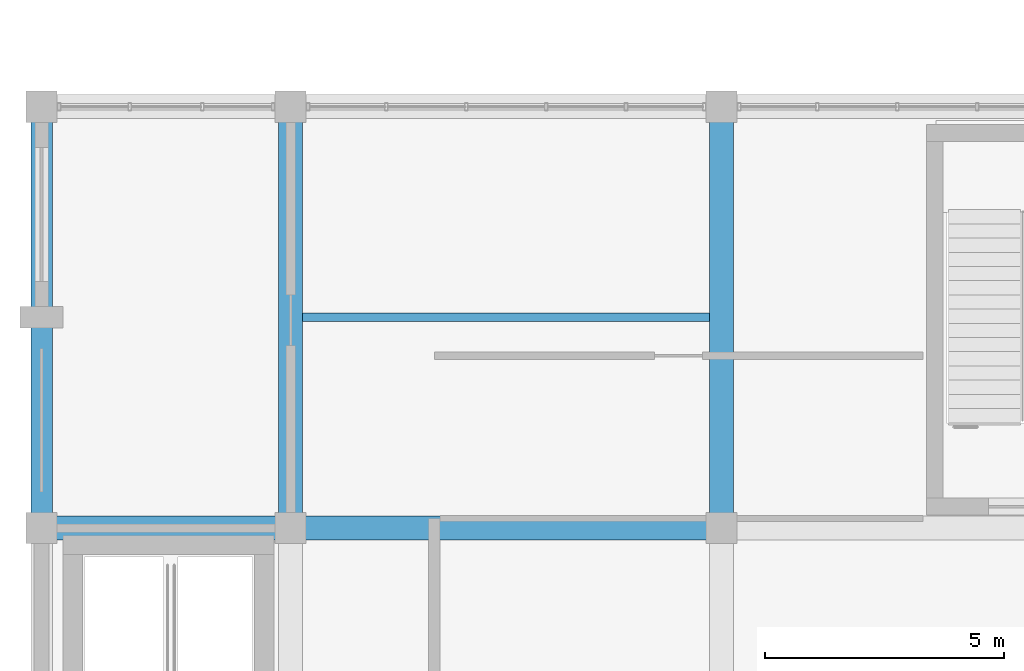
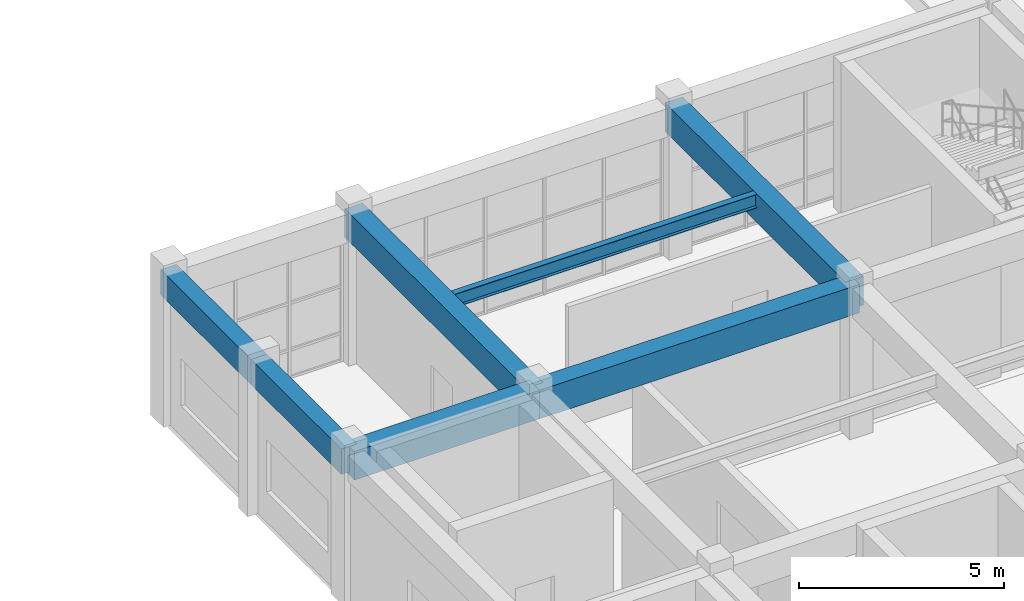
# One storey, part 12 of 99: 7 beams.
"""IFC4 building model written with IfcOpenShell, lengths in metres."""

from ifc_helpers import new_model, si_unit, direction, frame, origin, origin_2d, place, context, subcontext, project, spatial, rectangle, i_section, extrude, material, material_profile, profile_set, type_object, element, save


model = new_model("IFC4")

# Units and contexts
model_context = context("Model", 3, precision=1e-05, world=origin(), true_north=direction((0.0, 1.0)))
body_context = subcontext(model_context, "Body", "Model", "MODEL_VIEW")
ifc_project = project(units=[si_unit("LENGTHUNIT", "METRE"), si_unit("AREAUNIT", "SQUARE_METRE"), si_unit("VOLUMEUNIT", "CUBIC_METRE"), si_unit("PLANEANGLEUNIT", "RADIAN"), si_unit("MASSUNIT", "GRAM", prefix="KILO")], contexts=[model_context])

# Site, building, storey
site_placement = place(None, origin())
site = spatial("IfcSite", under=ifc_project, at=site_placement, CompositionType="ELEMENT")
building_placement = place(site_placement, origin())
building = spatial("IfcBuilding", under=site, at=building_placement, Name="Ventoquebrada Cableway Terminal", CompositionType="ELEMENT")
storey_placement = place(building_placement, frame((0.0, 0.0, 9.60009765625)))
storey = spatial("IfcBuildingStorey", under=building, at=storey_placement, Name="L02", CompositionType="ELEMENT", Elevation=9.60009765625)

# Beams
ifc_material_1 = material(Name="Concrete C40/50", Category="concrete")
ifc_material_profile_1 = material_profile(ifc_material_1, rectangle(XDim=0.5, YDim=0.85009765625, at=origin_2d()), Name="RC-BM-500X850")
ifc_profile_set_1 = profile_set([ifc_material_profile_1], Name="Concrete C40/50")
beam_type_1 = type_object("IfcBeamType", Name="BM-RC04", PredefinedType="BEAM", material=ifc_profile_set_1)
beam_1_placement = place(storey_placement, frame((3.0, 29.39990234375, 4.039794921875), z_axis=(1.0, 0.0, 0.0), x_axis=(0.0, 1.0, 0.0)))
element("IfcBeam", 1, at=beam_1_placement, inside=storey, type_object=beam_type_1, Name="Primary frame girder FBM-0209", PredefinedType="BEAM", context=body_context, shape_type="SweptSolid", body=[
    extrude(rectangle(XDim=0.5, YDim=0.85009765625, at=origin_2d()), origin(), (0.0, 0.0, 1.0), 5.199951171875),
])
beam_2_placement = place(storey_placement, frame((8.199951171875, 29.39990234375, 4.039794921875), z_axis=(1.0, 0.0, 0.0), x_axis=(0.0, 1.0, 0.0)))
element("IfcBeam", 2, at=beam_2_placement, inside=storey, type_object=beam_type_1, Name="Primary frame girder FBM-0210", PredefinedType="BEAM", context=body_context, shape_type="SweptSolid", body=[
    extrude(rectangle(XDim=0.5, YDim=0.85009765625, at=origin_2d()), origin(), (0.0, 0.0, 1.0), 9.0),
])
for number, where, z_axis, x_axis, name in (
    (3, (8.199951171875, 29.39990234375, 4.039794921875), (0.0, 1.0, 0.0), (-1.0, 0.0, 0.0), "Primary frame girder FBM-0222"),
    (4, (17.199951171875, 29.39990234375, 4.039794921875), (0.0, 1.0, 0.0), (-1.0, 0.0, 0.0), "Primary frame girder FBM-0225"),
):
    element("IfcBeam", number, at=place(storey_placement, frame(where, z_axis=z_axis, x_axis=x_axis)), inside=storey, type_object=beam_type_1, Name=name, PredefinedType="BEAM", context=body_context, shape_type="SweptSolid", body=[
        extrude(rectangle(XDim=0.5, YDim=0.85009765625, at=origin_2d()), origin(), (0.0, 0.0, 1.0), 8.800048828125),
    ])
ifc_material_2 = material(Name="Steel ASTM A992 Grade 50", Category="steel")
ifc_material_profile_2 = material_profile(ifc_material_2, i_section(OverallWidth=0.177978515625, OverallDepth=0.406005859375, WebThickness=0.0078125, FlangeThickness=0.0126953125, at=origin_2d()), Name="W16X40")
ifc_profile_set_2 = profile_set([ifc_material_profile_2], Name="Steel ASTM A992 Grade 50")
beam_type_2 = type_object("IfcBeamType", Name="JST-ST06", PredefinedType="JOIST", material=ifc_profile_set_2)
beam_3_placement = place(storey_placement, frame((8.449951171875, 33.800048828125, 4.261962890625), z_axis=(1.0, 0.0, 0.0), x_axis=(0.0, 1.0, 0.0)))
element("IfcBeam", 5, at=beam_3_placement, inside=storey, type_object=beam_type_2, Name="Secondary floor joist JB-007", PredefinedType="JOIST", context=body_context, shape_type="SweptSolid", body=[
    extrude(i_section(OverallWidth=0.177978515625, OverallDepth=0.406005859375, WebThickness=0.0078125, FlangeThickness=0.0126953125, at=origin_2d()), origin(), (0.0, 0.0, 1.0), 8.5),
])
ifc_material_profile_3 = material_profile(ifc_material_1, rectangle(XDim=0.449951171875, YDim=0.75, at=origin_2d()), Name="RC-BM-450X750")
ifc_profile_set_3 = profile_set([ifc_material_profile_3], Name="Concrete C40/50")
beam_type_3 = type_object("IfcBeamType", Name="SP-RC02", PredefinedType="SPANDREL", material=ifc_profile_set_3)
beam_4_placement = place(storey_placement, frame((3.0, 29.39990234375, 4.08984375), z_axis=(0.0, 1.0, 0.0), x_axis=(-1.0, 0.0, 0.0)))
element("IfcBeam", 6, at=beam_4_placement, inside=storey, type_object=beam_type_3, Name="Perimeter spandrel beam FBM-0218", PredefinedType="SPANDREL", context=body_context, shape_type="SweptSolid", body=[
    extrude(rectangle(XDim=0.449951171875, YDim=0.75, at=origin_2d()), origin(), (0.0, 0.0, 1.0), 4.400146484375),
])
beam_5_placement = place(storey_placement, frame((3.0, 33.800048828125, 4.08984375), z_axis=(0.0, 1.0, 0.0), x_axis=(-1.0, 0.0, 0.0)))
element("IfcBeam", 7, at=beam_5_placement, inside=storey, type_object=beam_type_3, Name="Perimeter spandrel beam FBM-0219", PredefinedType="SPANDREL", context=body_context, shape_type="SweptSolid", body=[
    extrude(rectangle(XDim=0.449951171875, YDim=0.75, at=origin_2d()), origin(), (0.0, 0.0, 1.0), 4.39990234375),
])

save(model, "model.ifc")
